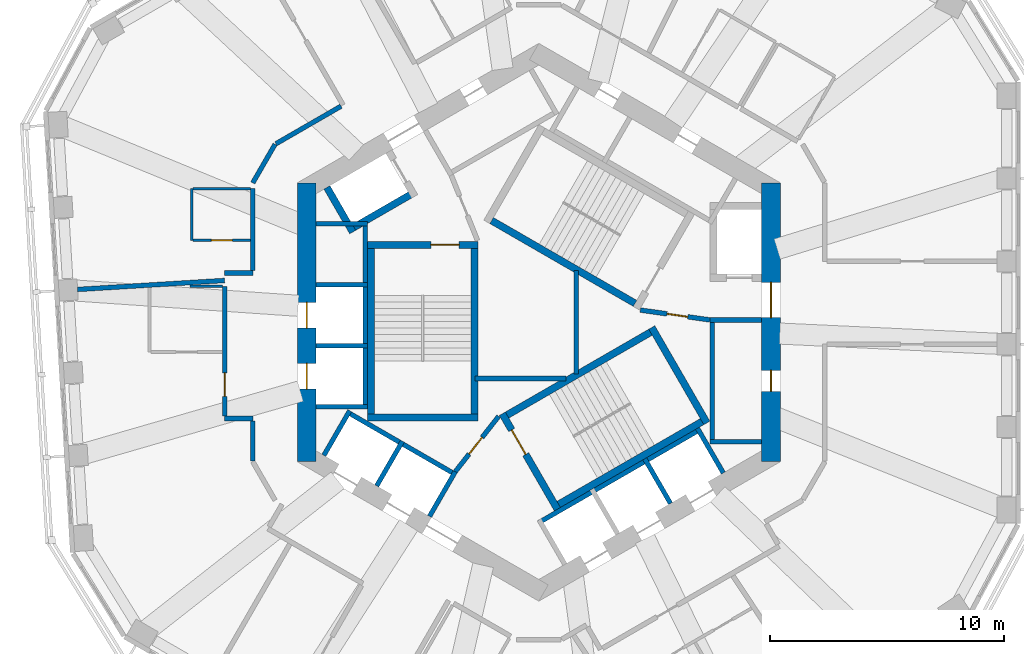
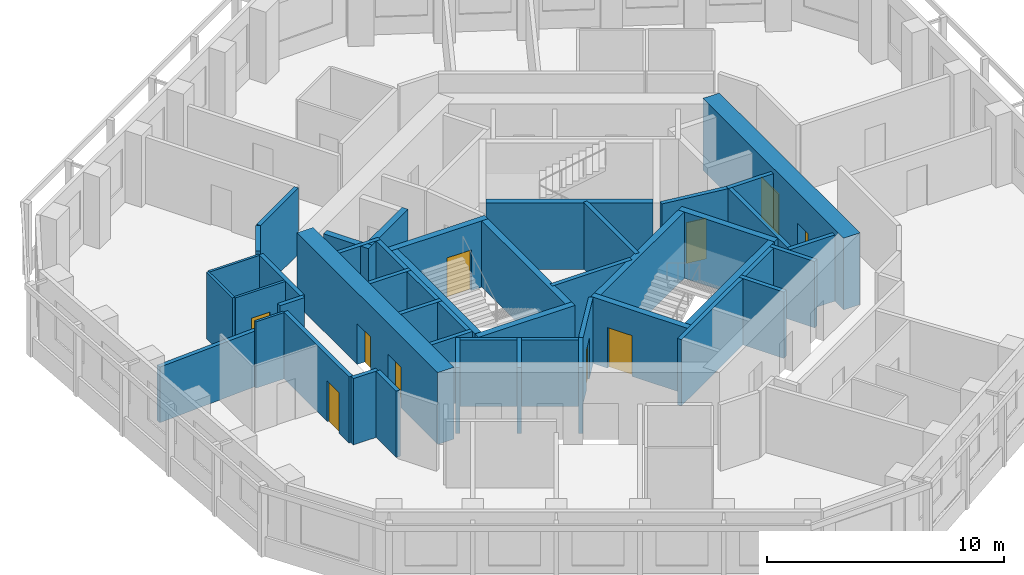
# One storey, part 5 of 11: 44 walls, 10 doors, 10 openings.
"""IFC4 building model written with IfcOpenShell, lengths in metres."""

from ifc_helpers import new_model, si_unit, direction, frame, frame_2d, origin, place, context, subcontext, project, spatial, rectangle, extrude, material, layer, layer_set, type_object, element, fill, save


model = new_model("IFC4")

# Units and contexts
model_context = context("Model", 3, precision=1e-05, world=origin(), true_north=direction((0.0, 1.0)))
body_context = subcontext(model_context, "Body", "Model", "MODEL_VIEW")
ifc_project = project(units=[si_unit("LENGTHUNIT", "METRE"), si_unit("AREAUNIT", "SQUARE_METRE"), si_unit("VOLUMEUNIT", "CUBIC_METRE"), si_unit("PLANEANGLEUNIT", "RADIAN"), si_unit("MASSUNIT", "GRAM", prefix="KILO")], contexts=[model_context])

# Site, building, storey
site_placement = place(None, origin())
site = spatial("IfcSite", under=ifc_project, at=site_placement, CompositionType="ELEMENT")
building_placement = place(site_placement, origin())
building = spatial("IfcBuilding", under=site, at=building_placement, Name="Vanh Sen Convention Tower", CompositionType="ELEMENT")
storey_placement = place(building_placement, frame((0.0, 0.0, 229.10009765625)))
storey = spatial("IfcBuildingStorey", under=building, at=storey_placement, Name="L56", CompositionType="ELEMENT", Elevation=229.10009765625)

# Walls
ifc_material_1 = material(Name="Moisture-resistant gypsum board on steel studs", Category="steel")
ifc_layer_1 = layer(ifc_material_1, 0.1201171875)
ifc_layer_set_1 = layer_set([ifc_layer_1], Name="Moisture-resistant gypsum board on steel studs")
wall_type_1 = type_object("IfcWallType", Name="Bathroom partition 120", PredefinedType="PARTITIONING", material=ifc_layer_set_1)
wall_1_placement = place(storey_placement, frame((-14.869384765625, 1.533203125, 0.0), z_axis=(0.0, 0.0, 1.0), x_axis=(1.0, 0.0, 0.0)))
element("IfcWall", 1, at=wall_1_placement, inside=storey, type_object=wall_type_1, Name="Bathroom partition 120", PredefinedType="PARTITIONING", context=body_context, shape_type="SweptSolid", body=[
    extrude(rectangle(XDim=1.368408203125, YDim=0.1201171875, at=frame_2d((0.68408203125, 0.0))), origin(), (0.0, 0.0, 1.0), 3.419921875),
])
wall_2_placement = place(storey_placement, frame((-14.800048828125, 3.49658203125, 0.0), z_axis=(0.0, 0.0, 1.0), x_axis=(0.0, 1.0, 0.0)))
element("IfcWall", 2, at=wall_2_placement, inside=storey, type_object=wall_type_1, Name="Bathroom partition 120", PredefinedType="PARTITIONING", context=body_context, shape_type="SweptSolid", body=[
    extrude(rectangle(XDim=2.2001953125, YDim=0.1201171875, at=frame_2d((1.10009765625, 0.0))), origin(), (0.0, 0.0, 1.0), 3.419921875),
])
wall_3_placement = place(storey_placement, frame((-14.739990234375, 5.69677734375, 0.0), z_axis=(0.0, 0.0, 1.0), x_axis=(1.0, 0.0, 0.0)))
element("IfcWall", 3, at=wall_3_placement, inside=storey, type_object=wall_type_1, Name="Bathroom partition 120", PredefinedType="PARTITIONING", context=body_context, shape_type="SweptSolid", body=[
    extrude(rectangle(XDim=2.43994140625, YDim=0.1201171875, at=frame_2d((1.219970703125, 0.0))), origin(), (0.0, 0.0, 1.0), 3.419921875),
])

# Wall, opening, door
wall_4_placement = place(storey_placement, frame((-12.300048828125, 3.49658203125, 0.0), z_axis=(0.0, 0.0, 1.0), x_axis=(-1.0, 0.0, 0.0)))
wall_4 = element("IfcWall", 4, at=wall_4_placement, inside=storey, type_object=wall_type_1, Name="Bathroom partition 120", PredefinedType="PARTITIONING", context=body_context, shape_type="SweptSolid", body=[
    extrude(rectangle(XDim=2.43994140625, YDim=0.1201171875, at=frame_2d((1.219970703125, 0.0))), origin(), (0.0, 0.0, 1.0), 3.419921875),
])
opening_1_placement = place(wall_4_placement, frame((0.77001953125, 0.0, 0.0)))
opening_1 = element("IfcOpeningElement", 5, at=opening_1_placement, cuts=wall_4, Name="Opening D56108", PredefinedType="OPENING", context=body_context, shape_type="SweptSolid", body=[
    extrude(rectangle(XDim=0.89990234375, YDim=2.10009765625, at=frame_2d((0.449951171875, 1.050048828125))), frame((0.0, 0.070068359375, 0.0), z_axis=(0.0, -1.0, 0.0), x_axis=(1.0, 0.0, 0.0)), (0.0, 0.0, 1.0), 0.14013671875),
])
ifc_material_2 = material(Name="Laminate door in steel frame", Category="steel")
door_type_1 = type_object("IfcDoorType", Name="Room internal door 900", OperationType="SINGLE_SWING_LEFT", PredefinedType="DOOR", material=ifc_material_2)
door_1_placement = place(opening_1_placement, origin())
door_1 = element("IfcDoor", 6, at=door_1_placement, inside=storey, type_object=door_type_1, Name="Internal room door D56108", OperationType="SINGLE_SWING_LEFT", OverallHeight=2.10009765625, OverallWidth=0.89990234375, PredefinedType="DOOR", context=body_context, shape_type="SweptSolid", body=[
    extrude(rectangle(XDim=0.89990234375, YDim=2.10009765625, at=frame_2d((0.449951171875, 1.050048828125))), frame((0.0, 0.02490234375, 0.0), z_axis=(0.0, -1.0, 0.0), x_axis=(1.0, 0.0, 0.0)), (0.0, 0.0, 1.0), 0.050048828125),
])
fill(opening_1, door_1)

# Wall, openings, doors
ifc_material_3 = material(Name="Concrete C60/75", Category="concrete")
ifc_layer_2 = layer(ifc_material_3, 0.800048828125)
ifc_layer_set_2 = layer_set([ifc_layer_2], Name="Concrete C60/75")
wall_type_2 = type_object("IfcWallType", Name="Core outer wall 800 C60/75", PredefinedType="SHEAR", material=ifc_layer_set_2)
wall_5_placement = place(storey_placement, frame((9.89990234375, -5.94677734375, 0.0), z_axis=(0.0, 0.0, 1.0), x_axis=(0.0, 1.0, 0.0)))
wall_5 = element("IfcWall", 7, at=wall_5_placement, inside=storey, type_object=wall_type_2, Name="Core wall face E L56", PredefinedType="SHEAR", context=body_context, shape_type="SweptSolid", body=[
    extrude(rectangle(XDim=11.8935546875, YDim=0.800048828125, at=frame_2d((5.94677734375, 0.0))), origin(), (0.0, 0.0, 1.0), 3.699951171875),
])
opening_2_placement = place(wall_5_placement, frame((6.146728515625, 0.0, 0.0)))
opening_2 = element("IfcOpeningElement", 8, at=opening_2_placement, cuts=wall_5, Name="Opening D56001", PredefinedType="OPENING", context=body_context, shape_type="SweptSolid", body=[
    extrude(rectangle(XDim=1.5, YDim=2.10009765625, at=frame_2d((0.75, 1.050048828125))), frame((0.0, 0.409912109375, 0.0), z_axis=(0.0, -1.0, 0.0), x_axis=(1.0, 0.0, 0.0)), (0.0, 0.0, 1.0), 0.820068359375),
])
opening_3_placement = place(wall_5_placement, frame((2.99658203125, 0.0, 0.0)))
opening_3 = element("IfcOpeningElement", 9, at=opening_3_placement, cuts=wall_5, Name="Opening D56010", PredefinedType="OPENING", context=body_context, shape_type="SweptSolid", body=[
    extrude(rectangle(XDim=0.89990234375, YDim=2.10009765625, at=frame_2d((0.449951171875, 1.050048828125))), frame((0.0, 0.409912109375, 0.0), z_axis=(0.0, -1.0, 0.0), x_axis=(1.0, 0.0, 0.0)), (0.0, 0.0, 1.0), 0.820068359375),
])
ifc_material_4 = material(Name="Steel S355", Category="steel")
door_type_2 = type_object("IfcDoorType", Name="Plant door 900", OperationType="SINGLE_SWING_LEFT", PredefinedType="DOOR", material=ifc_material_4)
door_2_placement = place(opening_3_placement, origin())
door_2 = element("IfcDoor", 10, at=door_2_placement, inside=storey, type_object=door_type_2, Name="Plant door D56010", OperationType="SINGLE_SWING_LEFT", OverallHeight=2.10009765625, OverallWidth=0.89990234375, PredefinedType="DOOR", context=body_context, shape_type="SweptSolid", body=[
    extrude(rectangle(XDim=0.89990234375, YDim=2.10009765625, at=frame_2d((0.449951171875, 1.050048828125))), frame((0.0, 0.02490234375, 0.0), z_axis=(0.0, -1.0, 0.0), x_axis=(1.0, 0.0, 0.0)), (0.0, 0.0, 1.0), 0.050048828125),
])
fill(opening_3, door_2)
door_type_3 = type_object("IfcDoorType", Name="Stair lobby door 1500", OperationType="DOUBLE_DOOR_SINGLE_SWING", PredefinedType="DOOR", material=ifc_material_4)
door_3_placement = place(opening_2_placement, origin())
door_3 = element("IfcDoor", 11, at=door_3_placement, inside=storey, type_object=door_type_3, Name="Stair lobby door D56001", OperationType="DOUBLE_DOOR_SINGLE_SWING", OverallHeight=2.10009765625, OverallWidth=1.5, PredefinedType="DOOR", context=body_context, shape_type="SweptSolid", body=[
    extrude(rectangle(XDim=1.5, YDim=2.10009765625, at=frame_2d((0.75, 1.050048828125))), frame((0.0, 0.02490234375, 0.0), z_axis=(0.0, -1.0, 0.0), x_axis=(1.0, 0.0, 0.0)), (0.0, 0.0, 1.0), 0.050048828125),
])
fill(opening_2, door_3)

wall_6_placement = place(storey_placement, frame((-9.89990234375, 5.94677734375, 0.0), z_axis=(0.0, 0.0, 1.0), x_axis=(0.0, -1.0, 0.0)))
wall_6 = element("IfcWall", 12, at=wall_6_placement, inside=storey, type_object=wall_type_2, Name="Core wall face W L56", PredefinedType="SHEAR", context=body_context, shape_type="SweptSolid", body=[
    extrude(rectangle(XDim=11.8935546875, YDim=0.800048828125, at=frame_2d((5.94677734375, 0.0))), origin(), (0.0, 0.0, 1.0), 3.699951171875),
])
opening_4_placement = place(wall_6_placement, frame((5.0966796875, 0.0, 0.0)))
opening_4 = element("IfcOpeningElement", 13, at=opening_4_placement, cuts=wall_6, Name="Opening LD-HR1", PredefinedType="OPENING", context=body_context, shape_type="SweptSolid", body=[
    extrude(rectangle(XDim=1.10009765625, YDim=2.10009765625, at=frame_2d((0.550048828125, 1.050048828125))), frame((0.0, 0.409912109375, 0.0), z_axis=(0.0, -1.0, 0.0), x_axis=(1.0, 0.0, 0.0)), (0.0, 0.0, 1.0), 0.820068359375),
])
opening_5_placement = place(wall_6_placement, frame((7.69677734375, 0.0, 0.0)))
opening_5 = element("IfcOpeningElement", 14, at=opening_5_placement, cuts=wall_6, Name="Opening LD-HR2", PredefinedType="OPENING", context=body_context, shape_type="SweptSolid", body=[
    extrude(rectangle(XDim=1.10009765625, YDim=2.10009765625, at=frame_2d((0.550048828125, 1.050048828125))), frame((0.0, 0.409912109375, 0.0), z_axis=(0.0, -1.0, 0.0), x_axis=(1.0, 0.0, 0.0)), (0.0, 0.0, 1.0), 0.820068359375),
])
ifc_material_5 = material(Name="Stainless steel", Category="steel")
door_type_4 = type_object("IfcDoorType", Name="Lift landing door 1100", OperationType="DOUBLE_DOOR_SLIDING", PredefinedType="DOOR", material=ifc_material_5)
door_4_placement = place(opening_4_placement, origin())
door_4 = element("IfcDoor", 15, at=door_4_placement, inside=storey, type_object=door_type_4, Name="Lift HR1 landing door LD-HR1", OperationType="DOUBLE_DOOR_SLIDING", OverallHeight=2.10009765625, OverallWidth=1.10009765625, PredefinedType="DOOR", context=body_context, shape_type="SweptSolid", body=[
    extrude(rectangle(XDim=1.10009765625, YDim=2.10009765625, at=frame_2d((0.550048828125, 1.050048828125))), frame((0.0, 0.02490234375, 0.0), z_axis=(0.0, -1.0, 0.0), x_axis=(1.0, 0.0, 0.0)), (0.0, 0.0, 1.0), 0.050048828125),
])
fill(opening_4, door_4)
door_5_placement = place(opening_5_placement, origin())
door_5 = element("IfcDoor", 16, at=door_5_placement, inside=storey, type_object=door_type_4, Name="Lift HR2 landing door LD-HR2", OperationType="DOUBLE_DOOR_SLIDING", OverallHeight=2.10009765625, OverallWidth=1.10009765625, PredefinedType="DOOR", context=body_context, shape_type="SweptSolid", body=[
    extrude(rectangle(XDim=1.10009765625, YDim=2.10009765625, at=frame_2d((0.550048828125, 1.050048828125))), frame((0.0, 0.02490234375, 0.0), z_axis=(0.0, -1.0, 0.0), x_axis=(1.0, 0.0, 0.0)), (0.0, 0.0, 1.0), 0.050048828125),
])
fill(opening_5, door_5)

# Walls
ifc_material_6 = material(Name="Masonry blockwork", Category="masonry")
ifc_layer_3 = layer(ifc_material_6, 0.199951171875)
ifc_layer_set_3 = layer_set([ifc_layer_3], Name="Masonry blockwork")
wall_type_3 = type_object("IfcWallType", Name="Core partition 200", PredefinedType="PARTITIONING", material=ifc_layer_set_3)
wall_7_placement = place(storey_placement, frame((-2.719970703125, -2.39990234375, 0.0), z_axis=(0.0, 0.0, 1.0), x_axis=(1.0, 0.0, 0.0)))
element("IfcWall", 17, at=wall_7_placement, inside=storey, type_object=wall_type_3, Name="Core partition L56", PredefinedType="PARTITIONING", context=body_context, shape_type="SweptSolid", body=[
    extrude(rectangle(XDim=3.883056640625, YDim=0.199951171875, at=frame_2d((1.94140625, 0.0))), origin(), (0.0, 0.0, 1.0), 3.419921875),
])
wall_8_placement = place(storey_placement, frame((1.60009765625, -2.198486328125, 0.0), z_axis=(0.0, 0.0, 1.0), x_axis=(0.0, 1.0, 0.0)))
element("IfcWall", 18, at=wall_8_placement, inside=storey, type_object=wall_type_3, Name="Core partition L56", PredefinedType="PARTITIONING", context=body_context, shape_type="SweptSolid", body=[
    extrude(rectangle(XDim=4.39697265625, YDim=0.199951171875, at=frame_2d((2.198486328125, 0.0))), origin(), (0.0, 0.0, 1.0), 3.419921875),
])
ifc_material_7 = material(Name="Gypsum board on steel studs with mineral wool", Category="steel")
ifc_layer_4 = layer(ifc_material_7, 0.199951171875)
ifc_layer_set_4 = layer_set([ifc_layer_4], Name="Gypsum board on steel studs with mineral wool")
wall_type_4 = type_object("IfcWallType", Name="Corridor partition wall 200", PredefinedType="PARTITIONING", material=ifc_layer_set_4)
wall_9_placement = place(storey_placement, frame((-13.40087890625, -4.10107421875, 0.0), z_axis=(0.0, 0.0, 1.0), x_axis=(1.0, 0.0, 0.0)))
element("IfcWall", 19, at=wall_9_placement, inside=storey, type_object=wall_type_4, Name="Corridor partition wall 200", PredefinedType="PARTITIONING", context=body_context, shape_type="SweptSolid", body=[
    extrude(rectangle(XDim=1.200927734375, YDim=0.199951171875, at=frame_2d((0.6005859375, 0.0))), origin(), (0.0, 0.0, 1.0), 3.419921875),
])

# Wall, opening, door
wall_10_placement = place(storey_placement, frame((-13.40087890625, 1.533203125, 0.0), z_axis=(0.0, 0.0, 1.0), x_axis=(0.0, -1.0, 0.0)))
wall_10 = element("IfcWall", 20, at=wall_10_placement, inside=storey, type_object=wall_type_4, Name="Corridor partition wall 200", PredefinedType="PARTITIONING", context=body_context, shape_type="SweptSolid", body=[
    extrude(rectangle(XDim=5.5341796875, YDim=0.199951171875, at=frame_2d((2.76708984375, 0.0))), origin(), (0.0, 0.0, 1.0), 3.419921875),
])
opening_6_placement = place(wall_10_placement, frame((3.692138671875, 0.0, 0.0)))
opening_6 = element("IfcOpeningElement", 21, at=opening_6_placement, cuts=wall_10, Name="Opening D56109", PredefinedType="OPENING", context=body_context, shape_type="SweptSolid", body=[
    extrude(rectangle(XDim=1.0, YDim=2.10009765625, at=frame_2d((0.5, 1.050048828125))), frame((0.0, 0.10986328125, 0.0), z_axis=(0.0, -1.0, 0.0), x_axis=(1.0, 0.0, 0.0)), (0.0, 0.0, 1.0), 0.219970703125),
])
ifc_material_8 = material(Name="Glazed fire door in steel frame", Category="steel")
door_type_5 = type_object("IfcDoorType", Name="Tenant entrance door 1000", OperationType="SINGLE_SWING_LEFT", PredefinedType="DOOR", material=ifc_material_8)
door_6_placement = place(opening_6_placement, origin())
door_6 = element("IfcDoor", 22, at=door_6_placement, inside=storey, type_object=door_type_5, Name="Tenant suite entrance door D56109", OperationType="SINGLE_SWING_LEFT", OverallHeight=2.10009765625, OverallWidth=1.0, PredefinedType="DOOR", context=body_context, shape_type="SweptSolid", body=[
    extrude(rectangle(XDim=1.0, YDim=2.10009765625, at=frame_2d((0.5, 1.050048828125))), frame((0.0, 0.02490234375, 0.0), z_axis=(0.0, -1.0, 0.0), x_axis=(1.0, 0.0, 0.0)), (0.0, 0.0, 1.0), 0.050048828125),
])
fill(opening_6, door_6)

# Walls
wall_11_placement = place(storey_placement, frame((-12.199951171875, -4.200927734375, 0.0), z_axis=(0.0, 0.0, 1.0), x_axis=(0.0, -1.0, 0.0)))
element("IfcWall", 23, at=wall_11_placement, inside=storey, type_object=wall_type_4, Name="Corridor partition wall 200", PredefinedType="PARTITIONING", context=body_context, shape_type="SweptSolid", body=[
    extrude(rectangle(XDim=1.705810546875, YDim=0.199951171875, at=frame_2d((0.85302734375, 0.0))), origin(), (0.0, 0.0, 1.0), 3.419921875),
])
wall_12_placement = place(storey_placement, frame((-12.199951171875, 2.10107421875, 0.0), z_axis=(0.0, 0.0, 1.0), x_axis=(-1.0, 0.0, 0.0)))
element("IfcWall", 24, at=wall_12_placement, inside=storey, type_object=wall_type_4, Name="Corridor partition wall 200", PredefinedType="PARTITIONING", context=body_context, shape_type="SweptSolid", body=[
    extrude(rectangle(XDim=1.200927734375, YDim=0.199951171875, at=frame_2d((0.6005859375, 0.0))), origin(), (0.0, 0.0, 1.0), 3.419921875),
])
wall_13_placement = place(storey_placement, frame((-12.199951171875, 5.69677734375, 0.0), z_axis=(0.0, 0.0, 1.0), x_axis=(0.0, -1.0, 0.0)))
element("IfcWall", 25, at=wall_13_placement, inside=storey, type_object=wall_type_4, Name="Corridor partition wall 200", PredefinedType="PARTITIONING", context=body_context, shape_type="SweptSolid", body=[
    extrude(rectangle(XDim=3.495849609375, YDim=0.199951171875, at=frame_2d((1.748046875, 0.0))), origin(), (0.0, 0.0, 1.0), 3.419921875),
])
wall_14_placement = place(storey_placement, frame((-11.25, 7.592041015625, 0.0), z_axis=(0.0, 0.0, 1.0), x_axis=(-0.500022797313, -0.86601224135, 0.0)))
element("IfcWall", 26, at=wall_14_placement, inside=storey, type_object=wall_type_4, Name="Corridor partition wall 200", PredefinedType="PARTITIONING", context=body_context, shape_type="SweptSolid", body=[
    extrude(rectangle(XDim=1.89990234375, YDim=0.199951171875, at=frame_2d((0.949951171875, 0.0))), origin(), (0.0, 0.0, 1.0), 3.419921875),
])
wall_15_placement = place(storey_placement, frame((-8.4365234375, 9.216552734375, 0.0), z_axis=(0.0, 0.0, 1.0), x_axis=(-0.866005660673, -0.500034194513, 0.0)))
element("IfcWall", 27, at=wall_15_placement, inside=storey, type_object=wall_type_4, Name="Corridor partition wall 200", PredefinedType="PARTITIONING", context=body_context, shape_type="SweptSolid", body=[
    extrude(rectangle(XDim=3.208740234375, YDim=0.199951171875, at=frame_2d((1.6044921875, 0.0))), origin(), (0.0, 0.0, 1.0), 3.419921875),
])
ifc_layer_5 = layer(ifc_material_3, 0.300048828125)
ifc_layer_set_5 = layer_set([ifc_layer_5], Name="Concrete C60/75")
wall_type_5 = type_object("IfcWallType", Name="Fire-fighting lift shaft wall 300", PredefinedType="SHEAR", material=ifc_layer_set_5)
wall_16_placement = place(storey_placement, frame((-5.240478515625, 5.576904296875, 0.0), z_axis=(0.0, 0.0, 1.0), x_axis=(-0.866014461049, -0.500018952895, 0.0)))
element("IfcWall", 28, at=wall_16_placement, inside=storey, type_object=wall_type_5, Name="Fire-fighting lift shaft wall L56", PredefinedType="SHEAR", context=body_context, shape_type="SweptSolid", body=[
    extrude(rectangle(XDim=3.349853515625, YDim=0.300048828125, at=frame_2d((1.6748046875, 0.0))), origin(), (0.0, 0.0, 1.0), 3.419921875),
])
wall_17_placement = place(storey_placement, frame((-7.936767578125, 3.846923828125, 0.0), z_axis=(0.0, 0.0, 1.0), x_axis=(-0.50002983664, 0.866008176907, 0.0)))
element("IfcWall", 29, at=wall_17_placement, inside=storey, type_object=wall_type_5, Name="Fire-fighting lift shaft wall L56", PredefinedType="SHEAR", context=body_context, shape_type="SweptSolid", body=[
    extrude(rectangle(XDim=2.199951171875, YDim=0.300048828125, at=frame_2d((1.10009765625, 0.0))), origin(), (0.0, 0.0, 1.0), 3.419921875),
])
ifc_material_9 = material(Name="Concrete C40/50", Category="concrete")
ifc_layer_6 = layer(ifc_material_9, 0.199951171875)
ifc_layer_set_6 = layer_set([ifc_layer_6], Name="Concrete C40/50")
wall_type_6 = type_object("IfcWallType", Name="Lift shaft wall 200", PredefinedType="PARTITIONING", material=ifc_layer_set_6)
wall_18_placement = place(storey_placement, frame((7.39990234375, -5.199951171875, 0.0), z_axis=(0.0, 0.0, 1.0), x_axis=(0.0, 1.0, 0.0)))
element("IfcWall", 30, at=wall_18_placement, inside=storey, type_object=wall_type_6, Name="Lift shaft wall L56", PredefinedType="PARTITIONING", context=body_context, shape_type="SweptSolid", body=[
    extrude(rectangle(XDim=5.39990234375, YDim=0.199951171875, at=frame_2d((2.699951171875, 0.0))), origin(), (0.0, 0.0, 1.0), 3.419921875),
])
for number, where, z_axis, x_axis, name in (
    (31, (7.300048828125, -5.10009765625, 0.0), (0.0, 0.0, 1.0), (1.0, 0.0, 0.0), "Lift shaft wall L56"),
    (32, (7.300048828125, 0.10009765625, 0.0), (0.0, 0.0, 1.0), (1.0, 0.0, 0.0), "Lift shaft wall L56"),
):
    element("IfcWall", number, at=place(storey_placement, frame(where, z_axis=z_axis, x_axis=x_axis)), inside=storey, type_object=wall_type_6, Name=name, PredefinedType="PARTITIONING", context=body_context, shape_type="SweptSolid", body=[
        extrude(rectangle(XDim=2.199951171875, YDim=0.199951171875, at=frame_2d((1.10009765625, 0.0))), origin(), (0.0, 0.0, 1.0), 3.419921875),
    ])
wall_19_placement = place(storey_placement, frame((-7.39990234375, 4.300048828125, 0.0), z_axis=(0.0, 0.0, 1.0), x_axis=(0.0, -1.0, 0.0)))
element("IfcWall", 33, at=wall_19_placement, inside=storey, type_object=wall_type_6, Name="Lift shaft wall L56", PredefinedType="PARTITIONING", context=body_context, shape_type="SweptSolid", body=[
    extrude(rectangle(XDim=8.0, YDim=0.199951171875, at=frame_2d((4.0, 0.0))), origin(), (0.0, 0.0, 1.0), 3.419921875),
])
for number, where, z_axis, x_axis, name in (
    (34, (-7.300048828125, 4.199951171875, 0.0), (0.0, 0.0, 1.0), (-1.0, 0.0, 0.0), "Lift shaft wall L56"),
    (35, (-7.300048828125, 1.60009765625, 0.0), (0.0, 0.0, 1.0), (-1.0, 0.0, 0.0), "Lift shaft wall L56"),
    (36, (-7.300048828125, -1.0, 0.0), (0.0, 0.0, 1.0), (-1.0, 0.0, 0.0), "Lift shaft wall L56"),
    (37, (-7.300048828125, -3.60009765625, 0.0), (0.0, 0.0, 1.0), (-1.0, 0.0, 0.0), "Lift shaft wall L56"),
):
    element("IfcWall", number, at=place(storey_placement, frame(where, z_axis=z_axis, x_axis=x_axis)), inside=storey, type_object=wall_type_6, Name=name, PredefinedType="PARTITIONING", context=body_context, shape_type="SweptSolid", body=[
        extrude(rectangle(XDim=2.199951171875, YDim=0.199951171875, at=frame_2d((1.10009765625, 0.0))), origin(), (0.0, 0.0, 1.0), 3.419921875),
    ])
wall_20_placement = place(storey_placement, frame((-8.203369140625, -3.80859375, 0.0), z_axis=(0.0, 0.0, 1.0), x_axis=(0.866028230842, -0.499995103361, 0.0)))
element("IfcWall", 38, at=wall_20_placement, inside=storey, type_object=wall_type_6, Name="Lift shaft wall L56", PredefinedType="PARTITIONING", context=body_context, shape_type="SweptSolid", body=[
    extrude(rectangle(XDim=5.39990234375, YDim=0.199951171875, at=frame_2d((2.699951171875, 0.0))), origin(), (0.0, 0.0, 1.0), 3.419921875),
])
for number, where, z_axis, x_axis, name in (
    (39, (-8.066650390625, -3.77197265625, 0.0), (0.0, 0.0, 1.0), (-0.50002983664, -0.866008176907, 0.0), "Lift shaft wall L56"),
    (40, (-5.815185546875, -5.072021484375, 0.0), (0.0, 0.0, 1.0), (-0.499946605688, -0.86605622881, 0.0), "Lift shaft wall L56"),
):
    element("IfcWall", number, at=place(storey_placement, frame(where, z_axis=z_axis, x_axis=x_axis)), inside=storey, type_object=wall_type_6, Name=name, PredefinedType="PARTITIONING", context=body_context, shape_type="SweptSolid", body=[
        extrude(rectangle(XDim=2.199951171875, YDim=0.199951171875, at=frame_2d((1.10009765625, 0.0))), origin(), (0.0, 0.0, 1.0), 3.419921875),
    ])
wall_21_placement = place(storey_placement, frame((-3.5634765625, -6.3720703125, 0.0), z_axis=(0.0, 0.0, 1.0), x_axis=(-0.499994660107, -0.866028486751, 0.0)))
element("IfcWall", 41, at=wall_21_placement, inside=storey, type_object=wall_type_6, Name="Lift shaft wall L56", PredefinedType="PARTITIONING", context=body_context, shape_type="SweptSolid", body=[
    extrude(rectangle(XDim=2.19970703125, YDim=0.199951171875, at=frame_2d((1.099853515625, 0.0))), origin(), (0.0, 0.0, 1.0), 3.419921875),
])
wall_22_placement = place(storey_placement, frame((-0.02392578125, -8.55859375, 0.0), z_axis=(0.0, 0.0, 1.0), x_axis=(0.866026010844, 0.49999894854, 0.0)))
element("IfcWall", 42, at=wall_22_placement, inside=storey, type_object=wall_type_6, Name="Lift shaft wall L56", PredefinedType="PARTITIONING", context=body_context, shape_type="SweptSolid", body=[
    extrude(rectangle(XDim=8.0, YDim=0.199951171875, at=frame_2d((4.0, 0.0))), origin(), (0.0, 0.0, 1.0), 3.419921875),
])
for number, where, z_axis, x_axis, name in (
    (43, (4.51611328125, -5.822021484375, 0.0), (0.0, 0.0, 1.0), (0.499946605688, -0.86605622881, 0.0), "Lift shaft wall L56"),
    (44, (6.767578125, -4.52197265625, 0.0), (0.0, 0.0, 1.0), (0.50002983664, -0.866008176907, 0.0), "Lift shaft wall L56"),
):
    element("IfcWall", number, at=place(storey_placement, frame(where, z_axis=z_axis, x_axis=x_axis)), inside=storey, type_object=wall_type_6, Name=name, PredefinedType="PARTITIONING", context=body_context, shape_type="SweptSolid", body=[
        extrude(rectangle(XDim=2.199951171875, YDim=0.199951171875, at=frame_2d((1.10009765625, 0.0))), origin(), (0.0, 0.0, 1.0), 3.419921875),
    ])

# Wall, opening, door
ifc_layer_7 = layer(ifc_material_9, 0.199951171875)
ifc_layer_set_7 = layer_set([ifc_layer_7], Name="Concrete C40/50")
wall_type_7 = type_object("IfcWallType", Name="Stair lobby wall 200", PredefinedType="PARTITIONING", material=ifc_layer_set_7)
wall_23_placement = place(storey_placement, frame((4.327392578125, 0.52099609375, 0.0), z_axis=(0.0, 0.0, 1.0), x_axis=(0.990124376366, -0.14019172346, 0.0)))
wall_23 = element("IfcWall", 45, at=wall_23_placement, inside=storey, type_object=wall_type_7, Name="Stair lobby wall L56", PredefinedType="PARTITIONING", context=body_context, shape_type="SweptSolid", body=[
    extrude(rectangle(XDim=3.002197265625, YDim=0.199951171875, at=frame_2d((1.5009765625, 0.0))), origin(), (0.0, 0.0, 1.0), 3.419921875),
])
opening_7_placement = place(wall_23_placement, frame((1.14990234375, 0.0, 0.0)))
opening_7 = element("IfcOpeningElement", 46, at=opening_7_placement, cuts=wall_23, Name="Opening D56007", PredefinedType="OPENING", context=body_context, shape_type="SweptSolid", body=[
    extrude(rectangle(XDim=0.89990234375, YDim=2.10009765625, at=frame_2d((0.449951171875, 1.050048828125))), frame((0.0, 0.10986328125, 0.0), z_axis=(0.0, -1.0, 0.0), x_axis=(1.0, 0.0, 0.0)), (0.0, 0.0, 1.0), 0.219970703125),
])
door_7_placement = place(opening_7_placement, origin())
door_7 = element("IfcDoor", 47, at=door_7_placement, inside=storey, type_object=door_type_2, Name="Plant door D56007", OperationType="SINGLE_SWING_LEFT", OverallHeight=2.10009765625, OverallWidth=0.89990234375, PredefinedType="DOOR", context=body_context, shape_type="SweptSolid", body=[
    extrude(rectangle(XDim=0.89990234375, YDim=2.10009765625, at=frame_2d((0.449951171875, 1.050048828125))), frame((0.0, 0.02490234375, 0.0), z_axis=(0.0, -1.0, 0.0), x_axis=(1.0, 0.0, 0.0)), (0.0, 0.0, 1.0), 0.050048828125),
])
fill(opening_7, door_7)

wall_24_placement = place(storey_placement, frame((-1.71240234375, -4.00830078125, 0.0), z_axis=(0.0, 0.0, 1.0), x_axis=(-0.616549420702, -0.787316208287, 0.0)))
wall_24 = element("IfcWall", 48, at=wall_24_placement, inside=storey, type_object=wall_type_7, Name="Stair lobby wall L56", PredefinedType="PARTITIONING", context=body_context, shape_type="SweptSolid", body=[
    extrude(rectangle(XDim=3.002197265625, YDim=0.199951171875, at=frame_2d((1.5009765625, 0.0))), origin(), (0.0, 0.0, 1.0), 3.419921875),
])
opening_8_placement = place(wall_24_placement, frame((1.14990234375, 0.0, 0.0)))
opening_8 = element("IfcOpeningElement", 49, at=opening_8_placement, cuts=wall_24, Name="Opening D56009", PredefinedType="OPENING", context=body_context, shape_type="SweptSolid", body=[
    extrude(rectangle(XDim=0.89990234375, YDim=2.10009765625, at=frame_2d((0.449951171875, 1.050048828125))), frame((0.0, 0.10986328125, 0.0), z_axis=(0.0, -1.0, 0.0), x_axis=(1.0, 0.0, 0.0)), (0.0, 0.0, 1.0), 0.219970703125),
])
door_8_placement = place(opening_8_placement, origin())
door_8 = element("IfcDoor", 50, at=door_8_placement, inside=storey, type_object=door_type_2, Name="Plant door D56009", OperationType="SINGLE_SWING_LEFT", OverallHeight=2.10009765625, OverallWidth=0.89990234375, PredefinedType="DOOR", context=body_context, shape_type="SweptSolid", body=[
    extrude(rectangle(XDim=0.89990234375, YDim=2.10009765625, at=frame_2d((0.449951171875, 1.050048828125))), frame((0.0, 0.02490234375, 0.0), z_axis=(0.0, -1.0, 0.0), x_axis=(1.0, 0.0, 0.0)), (0.0, 0.0, 1.0), 0.050048828125),
])
fill(opening_8, door_8)

# Wall
ifc_layer_8 = layer(ifc_material_3, 0.300048828125)
ifc_layer_set_8 = layer_set([ifc_layer_8], Name="Concrete C60/75")
wall_type_8 = type_object("IfcWallType", Name="Stair wall 300", PredefinedType="SHEAR", material=ifc_layer_set_8)
wall_25_placement = place(storey_placement, frame((4.10302734375, 0.806640625, 0.0), z_axis=(0.0, 0.0, 1.0), x_axis=(-0.866027801685, 0.499995846692, 0.0)))
element("IfcWall", 51, at=wall_25_placement, inside=storey, type_object=wall_type_8, Name="Stair wall L56", PredefinedType="SHEAR", context=body_context, shape_type="SweptSolid", body=[
    extrude(rectangle(XDim=7.06005859375, YDim=0.300048828125, at=frame_2d((3.530029296875, 0.0))), origin(), (0.0, 0.0, 1.0), 3.419921875),
])

# Wall, opening, door
wall_26_placement = place(storey_placement, frame((-2.60009765625, 3.300048828125, 0.0), z_axis=(0.0, 0.0, 1.0), x_axis=(-1.0, 0.0, 0.0)))
wall_26 = element("IfcWall", 52, at=wall_26_placement, inside=storey, type_object=wall_type_8, Name="Stair wall L56", PredefinedType="SHEAR", context=body_context, shape_type="SweptSolid", body=[
    extrude(rectangle(XDim=4.699951171875, YDim=0.300048828125, at=frame_2d((2.35009765625, 0.0))), origin(), (0.0, 0.0, 1.0), 3.419921875),
])
opening_9_placement = place(wall_26_placement, frame((0.800048828125, 0.0, 0.0)))
opening_9 = element("IfcOpeningElement", 53, at=opening_9_placement, cuts=wall_26, Name="Opening D56005", PredefinedType="OPENING", context=body_context, shape_type="SweptSolid", body=[
    extrude(rectangle(XDim=1.199951171875, YDim=2.10009765625, at=frame_2d((0.60009765625, 1.050048828125))), frame((0.0, 0.159912109375, 0.0), z_axis=(0.0, -1.0, 0.0), x_axis=(1.0, 0.0, 0.0)), (0.0, 0.0, 1.0), 0.320068359375),
])
door_type_6 = type_object("IfcDoorType", Name="Stair door 1200", OperationType="SINGLE_SWING_RIGHT", PredefinedType="DOOR", material=ifc_material_4)
door_9_placement = place(opening_9_placement, origin())
door_9 = element("IfcDoor", 54, at=door_9_placement, inside=storey, type_object=door_type_6, Name="Stair ST2 door D56005", OperationType="SINGLE_SWING_RIGHT", OverallHeight=2.10009765625, OverallWidth=1.199951171875, PredefinedType="DOOR", context=body_context, shape_type="SweptSolid", body=[
    extrude(rectangle(XDim=1.199951171875, YDim=2.10009765625, at=frame_2d((0.60009765625, 1.050048828125))), frame((0.0, 0.02490234375, 0.0), z_axis=(0.0, -1.0, 0.0), x_axis=(1.0, 0.0, 0.0)), (0.0, 0.0, 1.0), 0.050048828125),
])
fill(opening_9, door_9)

# Walls
wall_27_placement = place(storey_placement, frame((-2.60009765625, -4.06005859375, 0.0), z_axis=(0.0, 0.0, 1.0), x_axis=(-1.0, 0.0, 0.0)))
element("IfcWall", 55, at=wall_27_placement, inside=storey, type_object=wall_type_8, Name="Stair wall L56", PredefinedType="SHEAR", context=body_context, shape_type="SweptSolid", body=[
    extrude(rectangle(XDim=4.699951171875, YDim=0.300048828125, at=frame_2d((2.35009765625, 0.0))), origin(), (0.0, 0.0, 1.0), 3.419921875),
])
for number, where, z_axis, x_axis, name in (
    (56, (-2.75, 3.14990234375, 0.0), (0.0, 0.0, 1.0), (0.0, -1.0, 0.0), "Stair wall L56"),
    (57, (-7.14990234375, 3.14990234375, 0.0), (0.0, 0.0, 1.0), (0.0, -1.0, 0.0), "Stair wall L56"),
):
    element("IfcWall", number, at=place(storey_placement, frame(where, z_axis=z_axis, x_axis=x_axis)), inside=storey, type_object=wall_type_8, Name=name, PredefinedType="SHEAR", context=body_context, shape_type="SweptSolid", body=[
        extrude(rectangle(XDim=7.059814453125, YDim=0.300048828125, at=frame_2d((3.52978515625, 0.0))), origin(), (0.0, 0.0, 1.0), 3.419921875),
    ])

# Wall, opening, door
wall_28_placement = place(storey_placement, frame((-1.557861328125, -3.901611328125, 0.0), z_axis=(0.0, 0.0, 1.0), x_axis=(0.499977259774, -0.866038532462, 0.0)))
wall_28 = element("IfcWall", 58, at=wall_28_placement, inside=storey, type_object=wall_type_8, Name="Stair wall L56", PredefinedType="SHEAR", context=body_context, shape_type="SweptSolid", body=[
    extrude(rectangle(XDim=4.699951171875, YDim=0.300048828125, at=frame_2d((2.35009765625, 0.0))), origin(), (0.0, 0.0, 1.0), 3.419921875),
])
opening_10_placement = place(wall_28_placement, frame((0.800048828125, 0.0, 0.0)))
opening_10 = element("IfcOpeningElement", 59, at=opening_10_placement, cuts=wall_28, Name="Opening D56006", PredefinedType="OPENING", context=body_context, shape_type="SweptSolid", body=[
    extrude(rectangle(XDim=1.199951171875, YDim=2.10009765625, at=frame_2d((0.60009765625, 1.050048828125))), frame((0.0, 0.159912109375, 0.0), z_axis=(0.0, -1.0, 0.0), x_axis=(1.0, 0.0, 0.0)), (0.0, 0.0, 1.0), 0.320068359375),
])
door_10_placement = place(opening_10_placement, origin())
door_10 = element("IfcDoor", 60, at=door_10_placement, inside=storey, type_object=door_type_6, Name="Stair ST3 door D56006", OperationType="SINGLE_SWING_RIGHT", OverallHeight=2.10009765625, OverallWidth=1.199951171875, PredefinedType="DOOR", context=body_context, shape_type="SweptSolid", body=[
    extrude(rectangle(XDim=1.199951171875, YDim=2.10009765625, at=frame_2d((0.60009765625, 1.050048828125))), frame((0.0, 0.02490234375, 0.0), z_axis=(0.0, -1.0, 0.0), x_axis=(1.0, 0.0, 0.0)), (0.0, 0.0, 1.0), 0.050048828125),
])
fill(opening_10, door_10)

# Walls
wall_29_placement = place(storey_placement, frame((4.816162109375, -0.2216796875, 0.0), z_axis=(0.0, 0.0, 1.0), x_axis=(0.499977259774, -0.866038532462, 0.0)))
element("IfcWall", 61, at=wall_29_placement, inside=storey, type_object=wall_type_8, Name="Stair wall L56", PredefinedType="SHEAR", context=body_context, shape_type="SweptSolid", body=[
    extrude(rectangle(XDim=4.699951171875, YDim=0.300048828125, at=frame_2d((2.35009765625, 0.0))), origin(), (0.0, 0.0, 1.0), 3.419921875),
])
for number, where, z_axis, x_axis, name in (
    (62, (-1.35302734375, -3.95654296875, 0.0), (0.0, 0.0, 1.0), (0.866027801685, 0.499995846692, 0.0), "Stair wall L56"),
    (63, (0.846923828125, -7.76708984375, 0.0), (0.0, 0.0, 1.0), (0.866027801685, 0.499995846692, 0.0), "Stair wall L56"),
):
    element("IfcWall", number, at=place(storey_placement, frame(where, z_axis=z_axis, x_axis=x_axis)), inside=storey, type_object=wall_type_8, Name=name, PredefinedType="SHEAR", context=body_context, shape_type="SweptSolid", body=[
        extrude(rectangle(XDim=7.06005859375, YDim=0.300048828125, at=frame_2d((3.530029296875, 0.0))), origin(), (0.0, 0.0, 1.0), 3.419921875),
    ])
ifc_layer_9 = layer(ifc_material_7, 0.199951171875)
ifc_layer_set_9 = layer_set([ifc_layer_9], Name="Gypsum board on steel studs with mineral wool")
wall_type_9 = type_object("IfcWallType", Name="Tenant suite wall 200", PredefinedType="PARTITIONING", material=ifc_layer_set_9)
wall_30_placement = place(storey_placement, frame((-19.672119140625, 1.399658203125, 0.0), z_axis=(0.0, 0.0, 1.0), x_axis=(0.99813499784, 0.061045278997, 0.0)))
element("IfcWall", 64, at=wall_30_placement, inside=storey, type_object=wall_type_9, Name="Tenant suite wall 200", PredefinedType="PARTITIONING", context=body_context, shape_type="SweptSolid", body=[
    extrude(rectangle(XDim=6.282958984375, YDim=0.199951171875, at=frame_2d((3.1416015625, 0.0))), origin(), (0.0, 0.0, 1.0), 2.869873046875),
])

save(model, "model.ifc")
